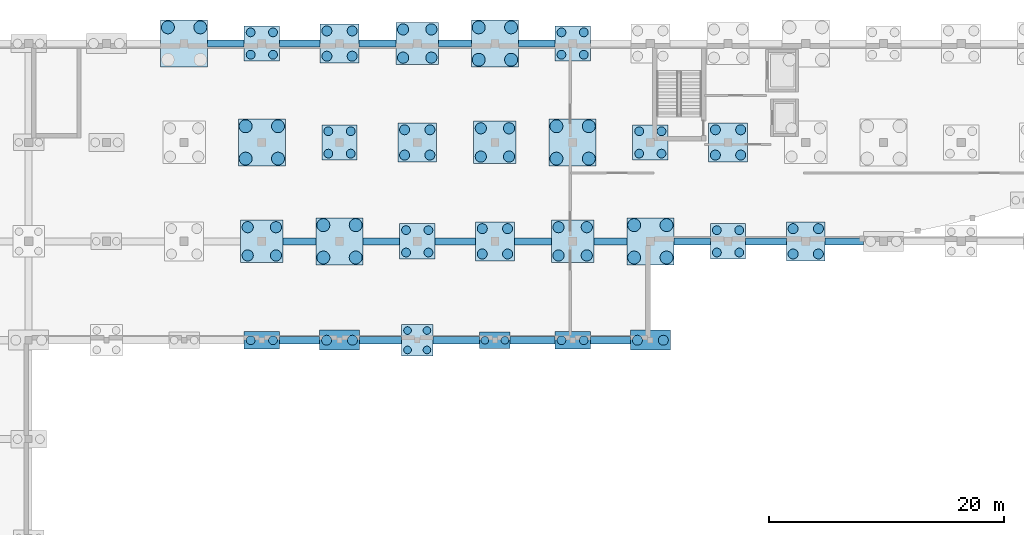
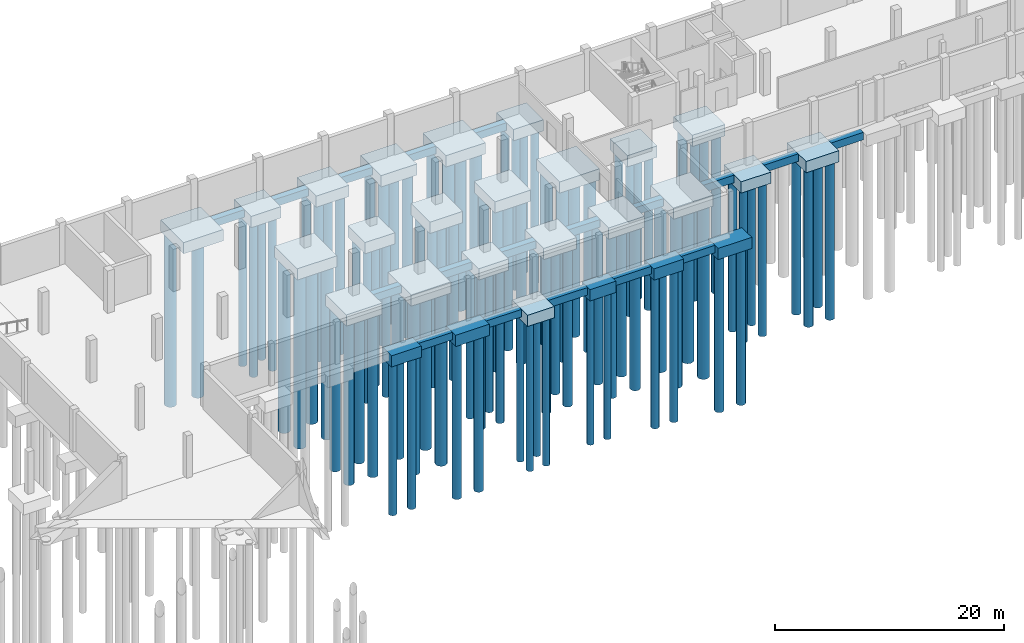
# One storey, part 4 of 25: 96 piles, 45 footings.
"""IFC4 building model written with IfcOpenShell, lengths in metres."""

from ifc_helpers import new_model, si_unit, direction, frame, origin, origin_2d, place, context, subcontext, project, spatial, rectangle, circle, extrude, material, layer, layer_set, material_profile, profile_set, type_object, element, save


model = new_model("IFC4")

# Units and contexts
model_context = context("Model", 3, precision=1e-05, world=origin(), true_north=direction((0.0, 1.0)))
body_context = subcontext(model_context, "Body", "Model", "MODEL_VIEW")
ifc_project = project(units=[si_unit("LENGTHUNIT", "METRE"), si_unit("AREAUNIT", "SQUARE_METRE"), si_unit("VOLUMEUNIT", "CUBIC_METRE"), si_unit("PLANEANGLEUNIT", "RADIAN"), si_unit("MASSUNIT", "GRAM", prefix="KILO")], contexts=[model_context])

# Site, building, storey
site_placement = place(None, origin())
site = spatial("IfcSite", under=ifc_project, at=site_placement, CompositionType="ELEMENT")
building_placement = place(site_placement, origin())
building = spatial("IfcBuilding", under=site, at=building_placement, Name="Qaldarim Faculty of Natural and Applied Sciences", CompositionType="ELEMENT")
storey_placement = place(building_placement, frame((0.0, 0.0, -4.5)))
storey = spatial("IfcBuildingStorey", under=building, at=storey_placement, Name="B01", CompositionType="ELEMENT", Elevation=-4.5)

# Piles
ifc_material = material(Name="Concrete C40/50", Category="concrete")
ifc_material_profile_1 = material_profile(ifc_material, circle(Radius=0.550048828125, at=origin_2d()), Name="PILE-D1100")
ifc_profile_set_1 = profile_set([ifc_material_profile_1], Name="Concrete C40/50")
pile_type_1 = type_object("IfcPileType", Name="BoredPile-D1100-L18300", PredefinedType="BORED", material=ifc_profile_set_1)
for number, where, z_axis, x_axis, name in (
    (1, (58.02490234375, 118.97509765625, -1.699951171875), (0.0, 0.0, -1.0), (1.0, 0.0, 0.0), "Bored pile PL05 2 under FTG-PC08-X10Y15"),
    (2, (60.77490234375, 118.97509765625, -1.699951171875), (0.0, 0.0, -1.0), (1.0, 0.0, 0.0), "Bored pile PL05 4 under FTG-PC08-X10Y15"),
    (3, (64.625, 107.824951171875, -1.699951171875), (0.0, 0.0, -1.0), (1.0, 0.0, 0.0), "Bored pile PL05 1 under FTG-PC08-X11Y14"),
    (4, (64.625, 110.574951171875, -1.699951171875), (0.0, 0.0, -1.0), (1.0, 0.0, 0.0), "Bored pile PL05 2 under FTG-PC08-X11Y14"),
    (5, (67.375, 107.824951171875, -1.699951171875), (0.0, 0.0, -1.0), (1.0, 0.0, 0.0), "Bored pile PL05 3 under FTG-PC08-X11Y14"),
    (6, (67.375, 110.574951171875, -1.699951171875), (0.0, 0.0, -1.0), (1.0, 0.0, 0.0), "Bored pile PL05 4 under FTG-PC08-X11Y14"),
    (7, (71.22509765625, 99.425048828125, -1.699951171875), (0.0, 0.0, -1.0), (1.0, 0.0, 0.0), "Bored pile PL05 1 under FTG-PC08-X12Y13"),
    (8, (71.22509765625, 102.175048828125, -1.699951171875), (0.0, 0.0, -1.0), (1.0, 0.0, 0.0), "Bored pile PL05 2 under FTG-PC08-X12Y13"),
    (9, (73.97509765625, 99.425048828125, -1.699951171875), (0.0, 0.0, -1.0), (1.0, 0.0, 0.0), "Bored pile PL05 3 under FTG-PC08-X12Y13"),
    (10, (73.97509765625, 102.175048828125, -1.699951171875), (0.0, 0.0, -1.0), (1.0, 0.0, 0.0), "Bored pile PL05 4 under FTG-PC08-X12Y13"),
    (11, (84.425048828125, 116.22509765625, -1.699951171875), (0.0, 0.0, -1.0), (1.0, 0.0, 0.0), "Bored pile PL05 1 under FTG-PC08-X14Y15"),
    (12, (84.425048828125, 118.97509765625, -1.699951171875), (0.0, 0.0, -1.0), (1.0, 0.0, 0.0), "Bored pile PL05 2 under FTG-PC08-X14Y15"),
    (13, (87.175048828125, 116.22509765625, -1.699951171875), (0.0, 0.0, -1.0), (1.0, 0.0, 0.0), "Bored pile PL05 3 under FTG-PC08-X14Y15"),
    (14, (87.175048828125, 118.97509765625, -1.699951171875), (0.0, 0.0, -1.0), (1.0, 0.0, 0.0), "Bored pile PL05 4 under FTG-PC08-X14Y15"),
    (15, (91.02490234375, 107.824951171875, -1.699951171875), (0.0, 0.0, -1.0), (1.0, 0.0, 0.0), "Bored pile PL05 1 under FTG-PC08-X15Y14"),
    (16, (91.02490234375, 110.574951171875, -1.699951171875), (0.0, 0.0, -1.0), (1.0, 0.0, 0.0), "Bored pile PL05 2 under FTG-PC08-X15Y14"),
    (17, (93.77490234375, 107.824951171875, -1.699951171875), (0.0, 0.0, -1.0), (1.0, 0.0, 0.0), "Bored pile PL05 3 under FTG-PC08-X15Y14"),
    (18, (93.77490234375, 110.574951171875, -1.699951171875), (0.0, 0.0, -1.0), (1.0, 0.0, 0.0), "Bored pile PL05 4 under FTG-PC08-X15Y14"),
    (19, (97.625, 99.425048828125, -1.699951171875), (0.0, 0.0, -1.0), (1.0, 0.0, 0.0), "Bored pile PL05 1 under FTG-PC08-X16Y13"),
    (20, (97.625, 102.175048828125, -1.699951171875), (0.0, 0.0, -1.0), (1.0, 0.0, 0.0), "Bored pile PL05 2 under FTG-PC08-X16Y13"),
    (21, (100.375, 99.425048828125, -1.699951171875), (0.0, 0.0, -1.0), (1.0, 0.0, 0.0), "Bored pile PL05 3 under FTG-PC08-X16Y13"),
    (22, (100.375, 102.175048828125, -1.699951171875), (0.0, 0.0, -1.0), (1.0, 0.0, 0.0), "Bored pile PL05 4 under FTG-PC08-X16Y13"),
):
    element("IfcPile", number, at=place(storey_placement, frame(where, z_axis=z_axis, x_axis=x_axis)), inside=storey, type_object=pile_type_1, Name=name, PredefinedType="BORED", context=body_context, shape_type="SweptSolid", body=[
        extrude(circle(Radius=0.550048828125, at=origin_2d()), origin(), (0.0, 0.0, 1.0), 18.300048828125),
    ])
ifc_material_profile_2 = material_profile(ifc_material, circle(Radius=0.324951171875, at=origin_2d()), Name="PILE-D650")
ifc_profile_set_2 = profile_set([ifc_material_profile_2], Name="Concrete C40/50")
pile_type_2 = type_object("IfcPileType", Name="BoredPile-D650-L15800", PredefinedType="BORED", material=ifc_profile_set_2)
for number, where, z_axis, x_axis, name in (
    (23, (78.375, 91.574951171875, -1.699951171875), (0.0, 0.0, -1.0), (1.0, 0.0, 0.0), "Bored pile PL01 1 under FTG-PC04-X13Y12"),
    (24, (78.375, 93.22509765625, -1.699951171875), (0.0, 0.0, -1.0), (1.0, 0.0, 0.0), "Bored pile PL01 2 under FTG-PC04-X13Y12"),
    (25, (80.02490234375, 91.574951171875, -1.699951171875), (0.0, 0.0, -1.0), (1.0, 0.0, 0.0), "Bored pile PL01 3 under FTG-PC04-X13Y12"),
    (26, (80.02490234375, 93.22509765625, -1.699951171875), (0.0, 0.0, -1.0), (1.0, 0.0, 0.0), "Bored pile PL01 4 under FTG-PC04-X13Y12"),
    (27, (84.949951171875, 92.39990234375, -1.699951171875), (0.0, 0.0, -1.0), (1.0, 0.0, 0.0), "Bored pile PL01 1 under FTG-PC01-X14Y12"),
    (28, (86.64990234375, 92.39990234375, -1.699951171875), (0.0, 0.0, -1.0), (1.0, 0.0, 0.0), "Bored pile PL01 2 under FTG-PC01-X14Y12"),
):
    element("IfcPile", number, at=place(storey_placement, frame(where, z_axis=z_axis, x_axis=x_axis)), inside=storey, type_object=pile_type_2, Name=name, PredefinedType="BORED", context=body_context, shape_type="SweptSolid", body=[
        extrude(circle(Radius=0.324951171875, at=origin_2d()), origin(), (0.0, 0.0, 1.0), 15.800048828125),
    ])
ifc_material_profile_3 = material_profile(ifc_material, circle(Radius=0.375, at=origin_2d()), Name="PILE-D750")
ifc_profile_set_3 = profile_set([ifc_material_profile_3], Name="Concrete C40/50")
pile_type_3 = type_object("IfcPileType", Name="BoredPile-D750-L16300", PredefinedType="BORED", material=ifc_profile_set_3)
for number, where, z_axis, x_axis, name in (
    (29, (65.050048828125, 92.39990234375, -1.699951171875), (0.0, 0.0, -1.0), (1.0, 0.0, 0.0), "Bored pile PL02 1 under FTG-PC02-X11Y12"),
    (30, (66.949951171875, 92.39990234375, -1.699951171875), (0.0, 0.0, -1.0), (1.0, 0.0, 0.0), "Bored pile PL02 2 under FTG-PC02-X11Y12"),
    (31, (65.050048828125, 116.64990234375, -1.699951171875), (0.0, 0.0, -1.0), (1.0, 0.0, 0.0), "Bored pile PL02 1 under FTG-PC05-X11Y15"),
    (32, (65.050048828125, 118.550048828125, -1.699951171875), (0.0, 0.0, -1.0), (1.0, 0.0, 0.0), "Bored pile PL02 2 under FTG-PC05-X11Y15"),
    (33, (66.949951171875, 116.64990234375, -1.699951171875), (0.0, 0.0, -1.0), (1.0, 0.0, 0.0), "Bored pile PL02 3 under FTG-PC05-X11Y15"),
    (34, (66.949951171875, 118.550048828125, -1.699951171875), (0.0, 0.0, -1.0), (1.0, 0.0, 0.0), "Bored pile PL02 4 under FTG-PC05-X11Y15"),
    (35, (71.64990234375, 108.25, -1.699951171875), (0.0, 0.0, -1.0), (1.0, 0.0, 0.0), "Bored pile PL02 1 under FTG-PC05-X12Y14"),
    (36, (71.64990234375, 110.14990234375, -1.699951171875), (0.0, 0.0, -1.0), (1.0, 0.0, 0.0), "Bored pile PL02 2 under FTG-PC05-X12Y14"),
    (37, (73.550048828125, 108.25, -1.699951171875), (0.0, 0.0, -1.0), (1.0, 0.0, 0.0), "Bored pile PL02 3 under FTG-PC05-X12Y14"),
    (38, (73.550048828125, 110.14990234375, -1.699951171875), (0.0, 0.0, -1.0), (1.0, 0.0, 0.0), "Bored pile PL02 4 under FTG-PC05-X12Y14"),
    (39, (78.25, 99.85009765625, -1.699951171875), (0.0, 0.0, -1.0), (1.0, 0.0, 0.0), "Bored pile PL02 1 under FTG-PC05-X13Y13"),
    (40, (78.25, 101.75, -1.699951171875), (0.0, 0.0, -1.0), (1.0, 0.0, 0.0), "Bored pile PL02 2 under FTG-PC05-X13Y13"),
    (41, (80.14990234375, 99.85009765625, -1.699951171875), (0.0, 0.0, -1.0), (1.0, 0.0, 0.0), "Bored pile PL02 3 under FTG-PC05-X13Y13"),
    (42, (80.14990234375, 101.75, -1.699951171875), (0.0, 0.0, -1.0), (1.0, 0.0, 0.0), "Bored pile PL02 4 under FTG-PC05-X13Y13"),
    (43, (91.449951171875, 92.39990234375, -1.699951171875), (0.0, 0.0, -1.0), (1.0, 0.0, 0.0), "Bored pile PL02 1 under FTG-PC02-X15Y12"),
    (44, (93.35009765625, 92.39990234375, -1.699951171875), (0.0, 0.0, -1.0), (1.0, 0.0, 0.0), "Bored pile PL02 2 under FTG-PC02-X15Y12"),
    (45, (91.449951171875, 116.64990234375, -1.699951171875), (0.0, 0.0, -1.0), (1.0, 0.0, 0.0), "Bored pile PL02 1 under FTG-PC05-X15Y15"),
    (46, (91.449951171875, 118.550048828125, -1.699951171875), (0.0, 0.0, -1.0), (1.0, 0.0, 0.0), "Bored pile PL02 2 under FTG-PC05-X15Y15"),
    (47, (93.35009765625, 116.64990234375, -1.699951171875), (0.0, 0.0, -1.0), (1.0, 0.0, 0.0), "Bored pile PL02 3 under FTG-PC05-X15Y15"),
    (48, (93.35009765625, 118.550048828125, -1.699951171875), (0.0, 0.0, -1.0), (1.0, 0.0, 0.0), "Bored pile PL02 4 under FTG-PC05-X15Y15"),
    (49, (98.050048828125, 108.25, -1.699951171875), (0.0, 0.0, -1.0), (1.0, 0.0, 0.0), "Bored pile PL02 1 under FTG-PC05-X16Y14"),
    (50, (98.050048828125, 110.14990234375, -1.699951171875), (0.0, 0.0, -1.0), (1.0, 0.0, 0.0), "Bored pile PL02 2 under FTG-PC05-X16Y14"),
    (51, (99.949951171875, 108.25, -1.699951171875), (0.0, 0.0, -1.0), (1.0, 0.0, 0.0), "Bored pile PL02 3 under FTG-PC05-X16Y14"),
    (52, (99.949951171875, 110.14990234375, -1.699951171875), (0.0, 0.0, -1.0), (1.0, 0.0, 0.0), "Bored pile PL02 4 under FTG-PC05-X16Y14"),
    (53, (104.64990234375, 99.85009765625, -1.699951171875), (0.0, 0.0, -1.0), (1.0, 0.0, 0.0), "Bored pile PL02 1 under FTG-PC05-X17Y13"),
    (54, (104.64990234375, 101.75, -1.699951171875), (0.0, 0.0, -1.0), (1.0, 0.0, 0.0), "Bored pile PL02 2 under FTG-PC05-X17Y13"),
    (55, (106.550048828125, 99.85009765625, -1.699951171875), (0.0, 0.0, -1.0), (1.0, 0.0, 0.0), "Bored pile PL02 3 under FTG-PC05-X17Y13"),
    (56, (106.550048828125, 101.75, -1.699951171875), (0.0, 0.0, -1.0), (1.0, 0.0, 0.0), "Bored pile PL02 4 under FTG-PC05-X17Y13"),
):
    element("IfcPile", number, at=place(storey_placement, frame(where, z_axis=z_axis, x_axis=x_axis)), inside=storey, type_object=pile_type_3, Name=name, PredefinedType="BORED", context=body_context, shape_type="SweptSolid", body=[
        extrude(circle(Radius=0.375, at=origin_2d()), origin(), (0.0, 0.0, 1.0), 16.300048828125),
    ])
ifc_material_profile_4 = material_profile(ifc_material, circle(Radius=0.425048828125, at=origin_2d()), Name="PILE-D850")
ifc_profile_set_4 = profile_set([ifc_material_profile_4], Name="Concrete C40/50")
pile_type_4 = type_object("IfcPileType", Name="BoredPile-D850-L16800", PredefinedType="BORED", material=ifc_profile_set_4)
for number, where, z_axis, x_axis, name in (
    (57, (71.5, 92.39990234375, -1.699951171875), (0.0, 0.0, -1.0), (1.0, 0.0, 0.0), "Bored pile PL03 1 under FTG-PC03-X12Y12"),
    (58, (73.699951171875, 92.39990234375, -1.699951171875), (0.0, 0.0, -1.0), (1.0, 0.0, 0.0), "Bored pile PL03 2 under FTG-PC03-X12Y12"),
    (59, (71.52490234375, 116.52490234375, -1.699951171875), (0.0, 0.0, -1.0), (1.0, 0.0, 0.0), "Bored pile PL03 1 under FTG-PC06-X12Y15"),
    (60, (71.52490234375, 118.675048828125, -1.699951171875), (0.0, 0.0, -1.0), (1.0, 0.0, 0.0), "Bored pile PL03 2 under FTG-PC06-X12Y15"),
    (61, (73.675048828125, 116.52490234375, -1.699951171875), (0.0, 0.0, -1.0), (1.0, 0.0, 0.0), "Bored pile PL03 3 under FTG-PC06-X12Y15"),
    (62, (73.675048828125, 118.675048828125, -1.699951171875), (0.0, 0.0, -1.0), (1.0, 0.0, 0.0), "Bored pile PL03 4 under FTG-PC06-X12Y15"),
    (63, (78.125, 108.125, -1.699951171875), (0.0, 0.0, -1.0), (1.0, 0.0, 0.0), "Bored pile PL03 1 under FTG-PC06-X13Y14"),
    (64, (78.125, 110.27490234375, -1.699951171875), (0.0, 0.0, -1.0), (1.0, 0.0, 0.0), "Bored pile PL03 2 under FTG-PC06-X13Y14"),
    (65, (80.27490234375, 108.125, -1.699951171875), (0.0, 0.0, -1.0), (1.0, 0.0, 0.0), "Bored pile PL03 3 under FTG-PC06-X13Y14"),
    (66, (80.27490234375, 110.27490234375, -1.699951171875), (0.0, 0.0, -1.0), (1.0, 0.0, 0.0), "Bored pile PL03 4 under FTG-PC06-X13Y14"),
    (67, (84.72509765625, 99.72509765625, -1.699951171875), (0.0, 0.0, -1.0), (1.0, 0.0, 0.0), "Bored pile PL03 1 under FTG-PC06-X14Y13"),
    (68, (84.72509765625, 101.875, -1.699951171875), (0.0, 0.0, -1.0), (1.0, 0.0, 0.0), "Bored pile PL03 2 under FTG-PC06-X14Y13"),
    (69, (86.875, 99.72509765625, -1.699951171875), (0.0, 0.0, -1.0), (1.0, 0.0, 0.0), "Bored pile PL03 3 under FTG-PC06-X14Y13"),
    (70, (86.875, 101.875, -1.699951171875), (0.0, 0.0, -1.0), (1.0, 0.0, 0.0), "Bored pile PL03 4 under FTG-PC06-X14Y13"),
    (71, (97.89990234375, 92.39990234375, -1.699951171875), (0.0, 0.0, -1.0), (1.0, 0.0, 0.0), "Bored pile PL03 1 under FTG-PC03-X16Y12"),
    (72, (100.10009765625, 92.39990234375, -1.699951171875), (0.0, 0.0, -1.0), (1.0, 0.0, 0.0), "Bored pile PL03 2 under FTG-PC03-X16Y12"),
    (73, (104.52490234375, 108.125, -1.699951171875), (0.0, 0.0, -1.0), (1.0, 0.0, 0.0), "Bored pile PL03 1 under FTG-PC06-X17Y14"),
    (74, (104.52490234375, 110.27490234375, -1.699951171875), (0.0, 0.0, -1.0), (1.0, 0.0, 0.0), "Bored pile PL03 2 under FTG-PC06-X17Y14"),
    (75, (106.675048828125, 108.125, -1.699951171875), (0.0, 0.0, -1.0), (1.0, 0.0, 0.0), "Bored pile PL03 3 under FTG-PC06-X17Y14"),
    (76, (106.675048828125, 110.27490234375, -1.699951171875), (0.0, 0.0, -1.0), (1.0, 0.0, 0.0), "Bored pile PL03 4 under FTG-PC06-X17Y14"),
    (77, (111.125, 99.72509765625, -1.699951171875), (0.0, 0.0, -1.0), (1.0, 0.0, 0.0), "Bored pile PL03 1 under FTG-PC06-X18Y13"),
    (78, (111.125, 101.875, -1.699951171875), (0.0, 0.0, -1.0), (1.0, 0.0, 0.0), "Bored pile PL03 2 under FTG-PC06-X18Y13"),
    (79, (113.27490234375, 99.72509765625, -1.699951171875), (0.0, 0.0, -1.0), (1.0, 0.0, 0.0), "Bored pile PL03 3 under FTG-PC06-X18Y13"),
    (80, (113.27490234375, 101.875, -1.699951171875), (0.0, 0.0, -1.0), (1.0, 0.0, 0.0), "Bored pile PL03 4 under FTG-PC06-X18Y13"),
):
    element("IfcPile", number, at=place(storey_placement, frame(where, z_axis=z_axis, x_axis=x_axis)), inside=storey, type_object=pile_type_4, Name=name, PredefinedType="BORED", context=body_context, shape_type="SweptSolid", body=[
        extrude(circle(Radius=0.425048828125, at=origin_2d()), origin(), (0.0, 0.0, 1.0), 16.800048828125),
    ])
ifc_material_profile_5 = material_profile(ifc_material, circle(Radius=0.47509765625, at=origin_2d()), Name="PILE-D950")
ifc_profile_set_5 = profile_set([ifc_material_profile_5], Name="Concrete C40/50")
pile_type_5 = type_object("IfcPileType", Name="BoredPile-D950-L17300", PredefinedType="BORED", material=ifc_profile_set_5)
for number, where, z_axis, x_axis, name in (
    (81, (64.800048828125, 99.60009765625, -1.699951171875), (0.0, 0.0, -1.0), (1.0, 0.0, 0.0), "Bored pile PL04 1 under FTG-PC07-X11Y13"),
    (82, (64.800048828125, 102.0, -1.699951171875), (0.0, 0.0, -1.0), (1.0, 0.0, 0.0), "Bored pile PL04 2 under FTG-PC07-X11Y13"),
    (83, (67.199951171875, 99.60009765625, -1.699951171875), (0.0, 0.0, -1.0), (1.0, 0.0, 0.0), "Bored pile PL04 3 under FTG-PC07-X11Y13"),
    (84, (67.199951171875, 102.0, -1.699951171875), (0.0, 0.0, -1.0), (1.0, 0.0, 0.0), "Bored pile PL04 4 under FTG-PC07-X11Y13"),
    (85, (78.0, 116.39990234375, -1.699951171875), (0.0, 0.0, -1.0), (1.0, 0.0, 0.0), "Bored pile PL04 1 under FTG-PC07-X13Y15"),
    (86, (78.0, 118.800048828125, -1.699951171875), (0.0, 0.0, -1.0), (1.0, 0.0, 0.0), "Bored pile PL04 2 under FTG-PC07-X13Y15"),
    (87, (80.39990234375, 116.39990234375, -1.699951171875), (0.0, 0.0, -1.0), (1.0, 0.0, 0.0), "Bored pile PL04 3 under FTG-PC07-X13Y15"),
    (88, (80.39990234375, 118.800048828125, -1.699951171875), (0.0, 0.0, -1.0), (1.0, 0.0, 0.0), "Bored pile PL04 4 under FTG-PC07-X13Y15"),
    (89, (84.60009765625, 108.0, -1.699951171875), (0.0, 0.0, -1.0), (1.0, 0.0, 0.0), "Bored pile PL04 1 under FTG-PC07-X14Y14"),
    (90, (84.60009765625, 110.39990234375, -1.699951171875), (0.0, 0.0, -1.0), (1.0, 0.0, 0.0), "Bored pile PL04 2 under FTG-PC07-X14Y14"),
    (91, (87.0, 108.0, -1.699951171875), (0.0, 0.0, -1.0), (1.0, 0.0, 0.0), "Bored pile PL04 3 under FTG-PC07-X14Y14"),
    (92, (87.0, 110.39990234375, -1.699951171875), (0.0, 0.0, -1.0), (1.0, 0.0, 0.0), "Bored pile PL04 4 under FTG-PC07-X14Y14"),
    (93, (91.199951171875, 99.60009765625, -1.699951171875), (0.0, 0.0, -1.0), (1.0, 0.0, 0.0), "Bored pile PL04 1 under FTG-PC07-X15Y13"),
    (94, (91.199951171875, 102.0, -1.699951171875), (0.0, 0.0, -1.0), (1.0, 0.0, 0.0), "Bored pile PL04 2 under FTG-PC07-X15Y13"),
    (95, (93.60009765625, 99.60009765625, -1.699951171875), (0.0, 0.0, -1.0), (1.0, 0.0, 0.0), "Bored pile PL04 3 under FTG-PC07-X15Y13"),
    (96, (93.60009765625, 102.0, -1.699951171875), (0.0, 0.0, -1.0), (1.0, 0.0, 0.0), "Bored pile PL04 4 under FTG-PC07-X15Y13"),
):
    element("IfcPile", number, at=place(storey_placement, frame(where, z_axis=z_axis, x_axis=x_axis)), inside=storey, type_object=pile_type_5, Name=name, PredefinedType="BORED", context=body_context, shape_type="SweptSolid", body=[
        extrude(circle(Radius=0.47509765625, at=origin_2d()), origin(), (0.0, 0.0, 1.0), 17.300048828125),
    ])

# Footings
ifc_layer_1 = layer(ifc_material, 1.199951171875)
ifc_layer_set_1 = layer_set([ifc_layer_1], Name="Concrete C40/50")
footing_type_1 = type_object("IfcFootingType", Name="FoundationCap-2600x1400x1200-2P650", PredefinedType="PILE_CAP", material=ifc_layer_set_1)
footing_1_placement = place(storey_placement, frame((85.800048828125, 92.39990234375, -1.7998046875), z_axis=(0.0, 0.0, 1.0), x_axis=(1.0, 0.0, 0.0)))
element("IfcFooting", 97, at=footing_1_placement, inside=storey, type_object=footing_type_1, Name="Pile cap PC01 at X14/Y12", PredefinedType="PILE_CAP", context=body_context, shape_type="SweptSolid", body=[
    extrude(rectangle(XDim=2.60009765625, YDim=1.39990234375, at=origin_2d()), origin(), (0.0, 0.0, 1.0), 1.199951171875),
])
ifc_layer_2 = layer(ifc_material, 1.199951171875)
ifc_layer_set_2 = layer_set([ifc_layer_2], Name="Concrete C40/50")
footing_type_2 = type_object("IfcFootingType", Name="FoundationCap-2700x2700x1200-4P650", PredefinedType="PILE_CAP", material=ifc_layer_set_2)
footing_2_placement = place(storey_placement, frame((79.199951171875, 92.39990234375, -1.7998046875), z_axis=(0.0, 0.0, 1.0), x_axis=(1.0, 0.0, 0.0)))
element("IfcFooting", 98, at=footing_2_placement, inside=storey, type_object=footing_type_2, Name="Pile cap PC04 at X13/Y12", PredefinedType="PILE_CAP", context=body_context, shape_type="SweptSolid", body=[
    extrude(rectangle(XDim=2.699951171875, YDim=2.699951171875, at=origin_2d()), origin(), (0.0, 0.0, 1.0), 1.199951171875),
])
ifc_layer_3 = layer(ifc_material, 1.199951171875)
ifc_layer_set_3 = layer_set([ifc_layer_3], Name="Concrete C40/50")
footing_type_3 = type_object("IfcFootingType", Name="FoundationCap-3000x1500x1200-2P750", PredefinedType="PILE_CAP", material=ifc_layer_set_3)
for number, where, z_axis, x_axis, name in (
    (99, (66.0, 92.39990234375, -1.7998046875), (0.0, 0.0, 1.0), (1.0, 0.0, 0.0), "Pile cap PC02 at X11/Y12"),
    (100, (92.39990234375, 92.39990234375, -1.7998046875), (0.0, 0.0, 1.0), (1.0, 0.0, 0.0), "Pile cap PC02 at X15/Y12"),
):
    element("IfcFooting", number, at=place(storey_placement, frame(where, z_axis=z_axis, x_axis=x_axis)), inside=storey, type_object=footing_type_3, Name=name, PredefinedType="PILE_CAP", context=body_context, shape_type="SweptSolid", body=[
        extrude(rectangle(XDim=3.0, YDim=1.5, at=origin_2d()), origin(), (0.0, 0.0, 1.0), 1.199951171875),
    ])
ifc_layer_4 = layer(ifc_material, 1.199951171875)
ifc_layer_set_4 = layer_set([ifc_layer_4], Name="Concrete C40/50")
footing_type_4 = type_object("IfcFootingType", Name="FoundationCap-3000x3000x1200-4P750", PredefinedType="PILE_CAP", material=ifc_layer_set_4)
for number, where, z_axis, x_axis, name in (
    (101, (66.0, 117.60009765625, -1.7998046875), (0.0, 0.0, 1.0), (1.0, 0.0, 0.0), "Pile cap PC05 at X11/Y15"),
    (102, (72.60009765625, 109.199951171875, -1.7998046875), (0.0, 0.0, 1.0), (1.0, 0.0, 0.0), "Pile cap PC05 at X12/Y14"),
    (103, (79.199951171875, 100.800048828125, -1.7998046875), (0.0, 0.0, 1.0), (1.0, 0.0, 0.0), "Pile cap PC05 at X13/Y13"),
    (104, (92.39990234375, 117.60009765625, -1.7998046875), (0.0, 0.0, 1.0), (1.0, 0.0, 0.0), "Pile cap PC05 at X15/Y15"),
    (105, (99.0, 109.199951171875, -1.7998046875), (0.0, 0.0, 1.0), (1.0, 0.0, 0.0), "Pile cap PC05 at X16/Y14"),
    (106, (105.60009765625, 100.800048828125, -1.7998046875), (0.0, 0.0, 1.0), (1.0, 0.0, 0.0), "Pile cap PC05 at X17/Y13"),
):
    element("IfcFooting", number, at=place(storey_placement, frame(where, z_axis=z_axis, x_axis=x_axis)), inside=storey, type_object=footing_type_4, Name=name, PredefinedType="PILE_CAP", context=body_context, shape_type="SweptSolid", body=[
        extrude(rectangle(XDim=3.0, YDim=3.0, at=origin_2d()), origin(), (0.0, 0.0, 1.0), 1.199951171875),
    ])
ifc_layer_5 = layer(ifc_material, 1.199951171875)
ifc_layer_set_5 = layer_set([ifc_layer_5], Name="Concrete C40/50")
footing_type_5 = type_object("IfcFootingType", Name="FoundationCap-3300x3300x1200-4P850", PredefinedType="PILE_CAP", material=ifc_layer_set_5)
for number, where, z_axis, x_axis, name in (
    (107, (72.60009765625, 117.60009765625, -1.7998046875), (0.0, 0.0, 1.0), (1.0, 0.0, 0.0), "Pile cap PC06 at X12/Y15"),
    (108, (79.199951171875, 109.199951171875, -1.7998046875), (0.0, 0.0, 1.0), (1.0, 0.0, 0.0), "Pile cap PC06 at X13/Y14"),
    (109, (85.800048828125, 100.800048828125, -1.7998046875), (0.0, 0.0, 1.0), (1.0, 0.0, 0.0), "Pile cap PC06 at X14/Y13"),
    (110, (105.60009765625, 109.199951171875, -1.7998046875), (0.0, 0.0, 1.0), (1.0, 0.0, 0.0), "Pile cap PC06 at X17/Y14"),
    (111, (112.199951171875, 100.800048828125, -1.7998046875), (0.0, 0.0, 1.0), (1.0, 0.0, 0.0), "Pile cap PC06 at X18/Y13"),
):
    element("IfcFooting", number, at=place(storey_placement, frame(where, z_axis=z_axis, x_axis=x_axis)), inside=storey, type_object=footing_type_5, Name=name, PredefinedType="PILE_CAP", context=body_context, shape_type="SweptSolid", body=[
        extrude(rectangle(XDim=3.300048828125, YDim=3.300048828125, at=origin_2d()), origin(), (0.0, 0.0, 1.0), 1.199951171875),
    ])
ifc_layer_6 = layer(ifc_material, 1.199951171875)
ifc_layer_set_6 = layer_set([ifc_layer_6], Name="Concrete C40/50")
footing_type_6 = type_object("IfcFootingType", Name="FoundationCap-3400x1700x1200-2P850", PredefinedType="PILE_CAP", material=ifc_layer_set_6)
for number, where, z_axis, x_axis, name in (
    (112, (72.60009765625, 92.39990234375, -1.7998046875), (0.0, 0.0, 1.0), (1.0, 0.0, 0.0), "Pile cap PC03 at X12/Y12"),
    (113, (99.0, 92.39990234375, -1.7998046875), (0.0, 0.0, 1.0), (1.0, 0.0, 0.0), "Pile cap PC03 at X16/Y12"),
):
    element("IfcFooting", number, at=place(storey_placement, frame(where, z_axis=z_axis, x_axis=x_axis)), inside=storey, type_object=footing_type_6, Name=name, PredefinedType="PILE_CAP", context=body_context, shape_type="SweptSolid", body=[
        extrude(rectangle(XDim=3.39990234375, YDim=1.699951171875, at=origin_2d()), origin(), (0.0, 0.0, 1.0), 1.199951171875),
    ])
ifc_layer_7 = layer(ifc_material, 1.199951171875)
ifc_layer_set_7 = layer_set([ifc_layer_7], Name="Concrete C40/50")
footing_type_7 = type_object("IfcFootingType", Name="FoundationCap-3600x3600x1200-4P950", PredefinedType="PILE_CAP", material=ifc_layer_set_7)
for number, where, z_axis, x_axis, name in (
    (114, (66.0, 100.800048828125, -1.7998046875), (0.0, 0.0, 1.0), (1.0, 0.0, 0.0), "Pile cap PC07 at X11/Y13"),
    (115, (79.199951171875, 117.60009765625, -1.7998046875), (0.0, 0.0, 1.0), (1.0, 0.0, 0.0), "Pile cap PC07 at X13/Y15"),
    (116, (85.800048828125, 109.199951171875, -1.7998046875), (0.0, 0.0, 1.0), (1.0, 0.0, 0.0), "Pile cap PC07 at X14/Y14"),
    (117, (92.39990234375, 100.800048828125, -1.7998046875), (0.0, 0.0, 1.0), (1.0, 0.0, 0.0), "Pile cap PC07 at X15/Y13"),
):
    element("IfcFooting", number, at=place(storey_placement, frame(where, z_axis=z_axis, x_axis=x_axis)), inside=storey, type_object=footing_type_7, Name=name, PredefinedType="PILE_CAP", context=body_context, shape_type="SweptSolid", body=[
        extrude(rectangle(XDim=3.60009765625, YDim=3.60009765625, at=origin_2d()), origin(), (0.0, 0.0, 1.0), 1.199951171875),
    ])
ifc_layer_8 = layer(ifc_material, 1.199951171875)
ifc_layer_set_8 = layer_set([ifc_layer_8], Name="Concrete C40/50")
footing_type_8 = type_object("IfcFootingType", Name="FoundationCap-4000x4000x1200-4P1100", PredefinedType="PILE_CAP", material=ifc_layer_set_8)
for number, where, z_axis, x_axis, name in (
    (118, (59.39990234375, 117.60009765625, -1.7998046875), (0.0, 0.0, 1.0), (1.0, 0.0, 0.0), "Pile cap PC08 at X10/Y15"),
    (119, (66.0, 109.199951171875, -1.7998046875), (0.0, 0.0, 1.0), (1.0, 0.0, 0.0), "Pile cap PC08 at X11/Y14"),
    (120, (72.60009765625, 100.800048828125, -1.7998046875), (0.0, 0.0, 1.0), (1.0, 0.0, 0.0), "Pile cap PC08 at X12/Y13"),
    (121, (85.800048828125, 117.60009765625, -1.7998046875), (0.0, 0.0, 1.0), (1.0, 0.0, 0.0), "Pile cap PC08 at X14/Y15"),
    (122, (92.39990234375, 109.199951171875, -1.7998046875), (0.0, 0.0, 1.0), (1.0, 0.0, 0.0), "Pile cap PC08 at X15/Y14"),
    (123, (99.0, 100.800048828125, -1.7998046875), (0.0, 0.0, 1.0), (1.0, 0.0, 0.0), "Pile cap PC08 at X16/Y13"),
):
    element("IfcFooting", number, at=place(storey_placement, frame(where, z_axis=z_axis, x_axis=x_axis)), inside=storey, type_object=footing_type_8, Name=name, PredefinedType="PILE_CAP", context=body_context, shape_type="SweptSolid", body=[
        extrude(rectangle(XDim=4.0, YDim=4.0, at=origin_2d()), origin(), (0.0, 0.0, 1.0), 1.199951171875),
    ])
ifc_layer_9 = layer(ifc_material, 0.800048828125)
ifc_layer_set_9 = layer_set([ifc_layer_9], Name="Concrete C40/50")
footing_type_9 = type_object("IfcFootingType", Name="FoundationTie-2800x600x800", PredefinedType="STRIP_FOOTING", material=ifc_layer_set_9)
for number, where, z_axis, x_axis, name in (
    (124, (69.199951171875, 100.800048828125, -1.39990234375), (0.0, 0.0, 1.0), (1.0, 0.0, 0.0), "Strip footing SF13 X11Y13"),
    (125, (82.39990234375, 117.60009765625, -1.39990234375), (0.0, 0.0, 1.0), (1.0, 0.0, 0.0), "Strip footing SF13 X13Y15"),
    (126, (95.60009765625, 100.800048828125, -1.39990234375), (0.0, 0.0, 1.0), (1.0, 0.0, 0.0), "Strip footing SF13 X15Y13"),
):
    element("IfcFooting", number, at=place(storey_placement, frame(where, z_axis=z_axis, x_axis=x_axis)), inside=storey, type_object=footing_type_9, Name=name, PredefinedType="STRIP_FOOTING", context=body_context, shape_type="SweptSolid", body=[
        extrude(rectangle(XDim=2.800048828125, YDim=0.60009765625, at=origin_2d()), origin(), (0.0, 0.0, 1.0), 0.800048828125),
    ])
ifc_layer_10 = layer(ifc_material, 0.800048828125)
ifc_layer_set_10 = layer_set([ifc_layer_10], Name="Concrete C40/50")
footing_type_10 = type_object("IfcFootingType", Name="FoundationTie-3100x600x800", PredefinedType="STRIP_FOOTING", material=ifc_layer_set_10)
for number, where, z_axis, x_axis, name in (
    (127, (62.949951171875, 117.60009765625, -1.39990234375), (0.0, 0.0, 1.0), (1.0, 0.0, 0.0), "Strip footing SF12 X10Y15"),
    (128, (76.14990234375, 100.800048828125, -1.39990234375), (0.0, 0.0, 1.0), (1.0, 0.0, 0.0), "Strip footing SF12 X12Y13"),
    (129, (89.35009765625, 117.60009765625, -1.39990234375), (0.0, 0.0, 1.0), (1.0, 0.0, 0.0), "Strip footing SF12 X14Y15"),
    (130, (102.550048828125, 100.800048828125, -1.39990234375), (0.0, 0.0, 1.0), (1.0, 0.0, 0.0), "Strip footing SF12 X16Y13"),
):
    element("IfcFooting", number, at=place(storey_placement, frame(where, z_axis=z_axis, x_axis=x_axis)), inside=storey, type_object=footing_type_10, Name=name, PredefinedType="STRIP_FOOTING", context=body_context, shape_type="SweptSolid", body=[
        extrude(rectangle(XDim=3.10009765625, YDim=0.60009765625, at=origin_2d()), origin(), (0.0, 0.0, 1.0), 0.800048828125),
    ])
ifc_layer_11 = layer(ifc_material, 0.800048828125)
ifc_layer_set_11 = layer_set([ifc_layer_11], Name="Concrete C40/50")
footing_type_11 = type_object("IfcFootingType", Name="FoundationTie-3150x600x800", PredefinedType="STRIP_FOOTING", material=ifc_layer_set_11)
for number, where, z_axis, x_axis, name in (
    (131, (75.824951171875, 117.60009765625, -1.39990234375), (0.0, 0.0, 1.0), (1.0, 0.0, 0.0), "Strip footing SF11 X12Y15"),
    (132, (89.02490234375, 100.800048828125, -1.39990234375), (0.0, 0.0, 1.0), (1.0, 0.0, 0.0), "Strip footing SF11 X14Y13"),
):
    element("IfcFooting", number, at=place(storey_placement, frame(where, z_axis=z_axis, x_axis=x_axis)), inside=storey, type_object=footing_type_11, Name=name, PredefinedType="STRIP_FOOTING", context=body_context, shape_type="SweptSolid", body=[
        extrude(rectangle(XDim=3.14990234375, YDim=0.60009765625, at=origin_2d()), origin(), (0.0, 0.0, 1.0), 0.800048828125),
    ])
ifc_layer_12 = layer(ifc_material, 0.800048828125)
ifc_layer_set_12 = layer_set([ifc_layer_12], Name="Concrete C40/50")
footing_type_12 = type_object("IfcFootingType", Name="FoundationTie-3250x600x800", PredefinedType="STRIP_FOOTING", material=ifc_layer_set_12)
footing_3_placement = place(storey_placement, frame((115.47509765625, 100.800048828125, -1.39990234375), z_axis=(0.0, 0.0, 1.0), x_axis=(1.0, 0.0, 0.0)))
element("IfcFooting", 133, at=footing_3_placement, inside=storey, type_object=footing_type_12, Name="Strip footing SF15 X18Y13", PredefinedType="STRIP_FOOTING", context=body_context, shape_type="SweptSolid", body=[
    extrude(rectangle(XDim=3.25, YDim=0.60009765625, at=origin_2d()), origin(), (0.0, 0.0, 1.0), 0.800048828125),
])
ifc_layer_13 = layer(ifc_material, 0.800048828125)
ifc_layer_set_13 = layer_set([ifc_layer_13], Name="Concrete C40/50")
footing_type_13 = type_object("IfcFootingType", Name="FoundationTie-3400x600x800", PredefinedType="STRIP_FOOTING", material=ifc_layer_set_13)
for number, where, z_axis, x_axis, name in (
    (134, (69.199951171875, 92.39990234375, -1.39990234375), (0.0, 0.0, 1.0), (1.0, 0.0, 0.0), "Strip footing SF08 X11Y12"),
    (135, (95.60009765625, 92.39990234375, -1.39990234375), (0.0, 0.0, 1.0), (1.0, 0.0, 0.0), "Strip footing SF08 X15Y12"),
):
    element("IfcFooting", number, at=place(storey_placement, frame(where, z_axis=z_axis, x_axis=x_axis)), inside=storey, type_object=footing_type_13, Name=name, PredefinedType="STRIP_FOOTING", context=body_context, shape_type="SweptSolid", body=[
        extrude(rectangle(XDim=3.39990234375, YDim=0.60009765625, at=origin_2d()), origin(), (0.0, 0.0, 1.0), 0.800048828125),
    ])
ifc_layer_14 = layer(ifc_material, 0.800048828125)
ifc_layer_set_14 = layer_set([ifc_layer_14], Name="Concrete C40/50")
footing_type_14 = type_object("IfcFootingType", Name="FoundationTie-3450x600x800", PredefinedType="STRIP_FOOTING", material=ifc_layer_set_14)
for number, where, z_axis, x_axis, name in (
    (136, (69.22509765625, 117.60009765625, -1.39990234375), (0.0, 0.0, 1.0), (1.0, 0.0, 0.0), "Strip footing SF14 X11Y15"),
    (137, (82.425048828125, 100.800048828125, -1.39990234375), (0.0, 0.0, 1.0), (1.0, 0.0, 0.0), "Strip footing SF14 X13Y13"),
    (138, (108.824951171875, 100.800048828125, -1.39990234375), (0.0, 0.0, 1.0), (1.0, 0.0, 0.0), "Strip footing SF14 X17Y13"),
):
    element("IfcFooting", number, at=place(storey_placement, frame(where, z_axis=z_axis, x_axis=x_axis)), inside=storey, type_object=footing_type_14, Name=name, PredefinedType="STRIP_FOOTING", context=body_context, shape_type="SweptSolid", body=[
        extrude(rectangle(XDim=3.449951171875, YDim=0.60009765625, at=origin_2d()), origin(), (0.0, 0.0, 1.0), 0.800048828125),
    ])
ifc_layer_15 = layer(ifc_material, 0.800048828125)
ifc_layer_set_15 = layer_set([ifc_layer_15], Name="Concrete C40/50")
footing_type_15 = type_object("IfcFootingType", Name="FoundationTie-3550x600x800", PredefinedType="STRIP_FOOTING", material=ifc_layer_set_15)
footing_4_placement = place(storey_placement, frame((76.074951171875, 92.39990234375, -1.39990234375), z_axis=(0.0, 0.0, 1.0), x_axis=(1.0, 0.0, 0.0)))
element("IfcFooting", 139, at=footing_4_placement, inside=storey, type_object=footing_type_15, Name="Strip footing SF01 X12Y12", PredefinedType="STRIP_FOOTING", context=body_context, shape_type="SweptSolid", body=[
    extrude(rectangle(XDim=3.550048828125, YDim=0.60009765625, at=origin_2d()), origin(), (0.0, 0.0, 1.0), 0.800048828125),
])
ifc_layer_16 = layer(ifc_material, 0.800048828125)
ifc_layer_set_16 = layer_set([ifc_layer_16], Name="Concrete C40/50")
footing_type_16 = type_object("IfcFootingType", Name="FoundationTie-3800x600x800", PredefinedType="STRIP_FOOTING", material=ifc_layer_set_16)
footing_5_placement = place(storey_placement, frame((89.0, 92.39990234375, -1.39990234375), z_axis=(0.0, 0.0, 1.0), x_axis=(1.0, 0.0, 0.0)))
element("IfcFooting", 140, at=footing_5_placement, inside=storey, type_object=footing_type_16, Name="Strip footing SF07 X14Y12", PredefinedType="STRIP_FOOTING", context=body_context, shape_type="SweptSolid", body=[
    extrude(rectangle(XDim=3.800048828125, YDim=0.60009765625, at=origin_2d()), origin(), (0.0, 0.0, 1.0), 0.800048828125),
])
ifc_layer_17 = layer(ifc_material, 0.800048828125)
ifc_layer_set_17 = layer_set([ifc_layer_17], Name="Concrete C40/50")
footing_type_17 = type_object("IfcFootingType", Name="FoundationTie-3950x600x800", PredefinedType="STRIP_FOOTING", material=ifc_layer_set_17)
footing_6_placement = place(storey_placement, frame((82.52490234375, 92.39990234375, -1.39990234375), z_axis=(0.0, 0.0, 1.0), x_axis=(1.0, 0.0, 0.0)))
element("IfcFooting", 141, at=footing_6_placement, inside=storey, type_object=footing_type_17, Name="Strip footing SF06 X13Y12", PredefinedType="STRIP_FOOTING", context=body_context, shape_type="SweptSolid", body=[
    extrude(rectangle(XDim=3.949951171875, YDim=0.60009765625, at=origin_2d()), origin(), (0.0, 0.0, 1.0), 0.800048828125),
])

save(model, "model.ifc")
